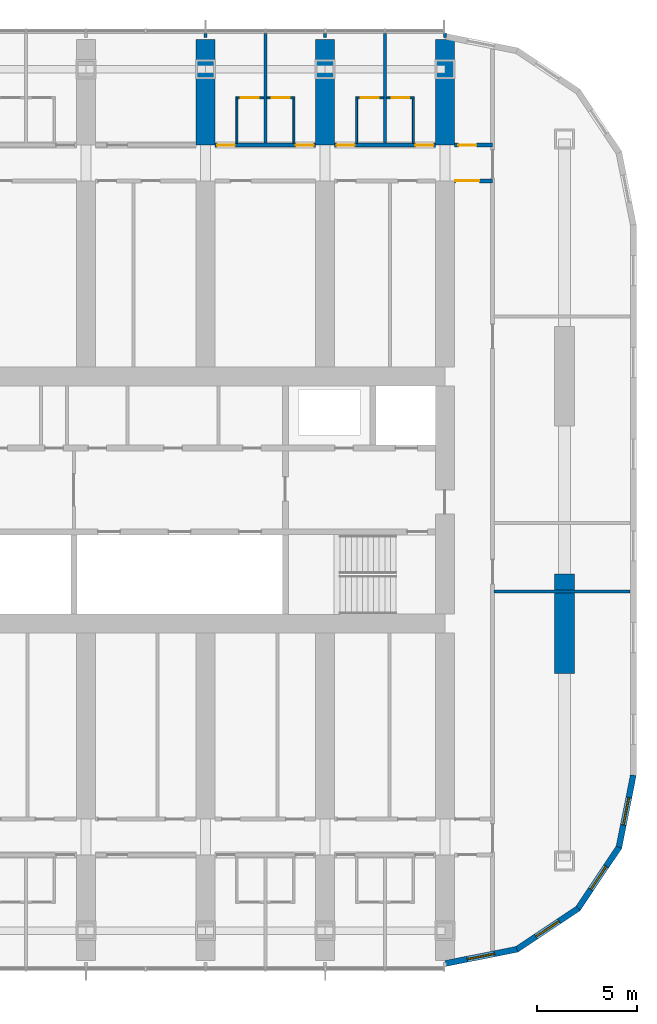
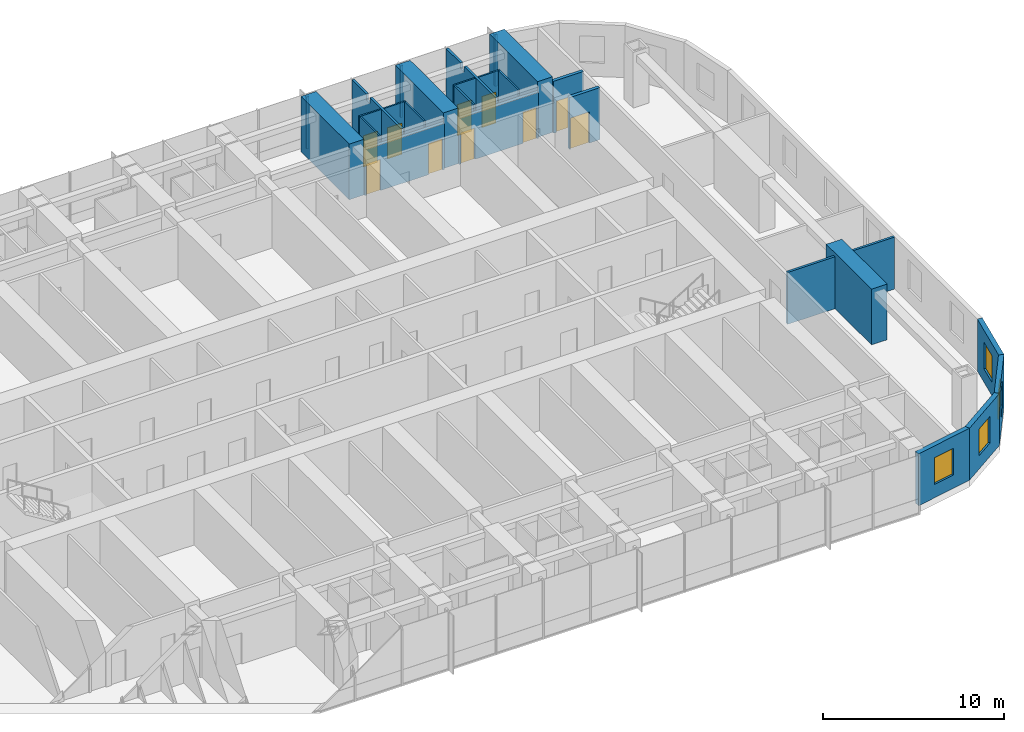
# One storey, part 17 of 25: 26 walls, 10 doors, 4 windows, 14 openings.
"""IFC4 building model written with IfcOpenShell, lengths in metres."""

from ifc_helpers import new_model, si_unit, direction, frame, frame_2d, origin, place, context, subcontext, project, spatial, polyline, rectangle, outline, extrude, material, layer, layer_set, type_object, element, fill, save


model = new_model("IFC4")

# Units and contexts
model_context = context("Model", 3, precision=1e-05, world=origin(), true_north=direction((0.0, 1.0)))
body_context = subcontext(model_context, "Body", "Model", "MODEL_VIEW")
ifc_project = project(units=[si_unit("LENGTHUNIT", "METRE"), si_unit("AREAUNIT", "SQUARE_METRE"), si_unit("VOLUMEUNIT", "CUBIC_METRE"), si_unit("PLANEANGLEUNIT", "RADIAN"), si_unit("MASSUNIT", "GRAM", prefix="KILO")], contexts=[model_context])

# Site, building, storey
site_placement = place(None, origin())
site = spatial("IfcSite", under=ifc_project, at=site_placement, CompositionType="ELEMENT")
building_placement = place(site_placement, origin())
building = spatial("IfcBuilding", under=site, at=building_placement, Name="Orbita Commons", CompositionType="ELEMENT")
storey_placement = place(building_placement, frame((0.0, 0.0, 99.39990234375)))
storey = spatial("IfcBuildingStorey", under=building, at=storey_placement, Name="L24", CompositionType="ELEMENT", Elevation=99.39990234375)

# Wall, openings, doors
ifc_material_1 = material(Name="Concrete blockwork", Category="masonry")
ifc_layer_1 = layer(ifc_material_1, 0.199951171875)
ifc_layer_set_1 = layer_set([ifc_layer_1], Name="Concrete blockwork")
wall_type_1 = type_object("IfcWallType", Name="Corridor wall 200 blockwork", PredefinedType="SOLIDWALL", material=ifc_layer_set_1)
wall_1_placement = place(storey_placement, frame((54.47509765625, 49.800048828125, 0.0), z_axis=(0.0, 0.0, 1.0), x_axis=(1.0, 0.0, 0.0)))
wall_1 = element("IfcWall", 1, at=wall_1_placement, inside=storey, type_object=wall_type_1, Name="Corridor wall 200 blockwork L24", PredefinedType="SOLIDWALL", context=body_context, shape_type="SweptSolid", body=[
    extrude(outline(polyline([(0.0, 0.0), (5.0498046875, 0.0), (5.050048828125, 3.10009765625), (0.0, 3.10009765625), (0.0, 0.0)])), frame((0.0, 0.10009765625, 0.0), z_axis=(0.0, -1.0, 0.0), x_axis=(1.0, 0.0, 0.0)), (0.0, 0.0, 1.0), 0.199951171875),
])
opening_1_placement = place(wall_1_placement, frame((0.10009765625, 0.0, 0.0)))
opening_1 = element("IfcOpeningElement", 2, at=opening_1_placement, cuts=wall_1, Name="Opening D11", PredefinedType="OPENING", context=body_context, shape_type="SweptSolid", body=[
    extrude(rectangle(XDim=0.89990234375, YDim=2.10009765625, at=frame_2d((0.449951171875, 1.050048828125))), frame((0.0, 0.10986328125, 0.0), z_axis=(0.0, -1.0, 0.0), x_axis=(1.0, 0.0, 0.0)), (0.0, 0.0, 1.0), 0.219970703125),
])
opening_2_placement = place(wall_1_placement, frame((4.050048828125, 0.0, 0.0)))
opening_2 = element("IfcOpeningElement", 3, at=opening_2_placement, cuts=wall_1, Name="Opening D11", PredefinedType="OPENING", context=body_context, shape_type="SweptSolid", body=[
    extrude(rectangle(XDim=0.89990234375, YDim=2.10009765625, at=frame_2d((0.449951171875, 1.050048828125))), frame((0.0, 0.10986328125, 0.0), z_axis=(0.0, -1.0, 0.0), x_axis=(1.0, 0.0, 0.0)), (0.0, 0.0, 1.0), 0.219970703125),
])
ifc_material_2 = material(Name="Steel-faced fire door leaf", Category="steel")
door_type_1 = type_object("IfcDoorType", Name="Corridor door 20 min 900x2100", OperationType="SINGLE_SWING_LEFT", PredefinedType="DOOR", material=ifc_material_2)
door_1_placement = place(opening_1_placement, origin())
door_1 = element("IfcDoor", 4, at=door_1_placement, inside=storey, type_object=door_type_1, Name="Cluster bedroom L24-N14 door", OperationType="SINGLE_SWING_LEFT", OverallHeight=2.10009765625, OverallWidth=0.89990234375, PredefinedType="DOOR", context=body_context, shape_type="SweptSolid", body=[
    extrude(rectangle(XDim=0.89990234375, YDim=2.10009765625, at=frame_2d((0.449951171875, 1.050048828125))), frame((0.0, 0.02490234375, 0.0), z_axis=(0.0, -1.0, 0.0), x_axis=(1.0, 0.0, 0.0)), (0.0, 0.0, 1.0), 0.050048828125),
])
fill(opening_1, door_1)
door_2_placement = place(opening_2_placement, origin())
door_2 = element("IfcDoor", 5, at=door_2_placement, inside=storey, type_object=door_type_1, Name="Cluster bedroom L24-N15 door", OperationType="SINGLE_SWING_LEFT", OverallHeight=2.10009765625, OverallWidth=0.89990234375, PredefinedType="DOOR", context=body_context, shape_type="SweptSolid", body=[
    extrude(rectangle(XDim=0.89990234375, YDim=2.10009765625, at=frame_2d((0.449951171875, 1.050048828125))), frame((0.0, 0.02490234375, 0.0), z_axis=(0.0, -1.0, 0.0), x_axis=(1.0, 0.0, 0.0)), (0.0, 0.0, 1.0), 0.050048828125),
])
fill(opening_2, door_2)

wall_2_placement = place(storey_placement, frame((60.47509765625, 49.800048828125, 0.0), z_axis=(0.0, 0.0, 1.0), x_axis=(1.0, 0.0, 0.0)))
wall_2 = element("IfcWall", 6, at=wall_2_placement, inside=storey, type_object=wall_type_1, Name="Corridor wall 200 blockwork L24", PredefinedType="SOLIDWALL", context=body_context, shape_type="SweptSolid", body=[
    extrude(outline(polyline([(0.0, 0.0), (5.0498046875, 0.0), (5.050048828125, 3.10009765625), (0.0, 3.10009765625), (0.0, 0.0)])), frame((0.0, 0.10009765625, 0.0), z_axis=(0.0, -1.0, 0.0), x_axis=(1.0, 0.0, 0.0)), (0.0, 0.0, 1.0), 0.199951171875),
])
opening_3_placement = place(wall_2_placement, frame((0.10009765625, 0.0, 0.0)))
opening_3 = element("IfcOpeningElement", 7, at=opening_3_placement, cuts=wall_2, Name="Opening D11", PredefinedType="OPENING", context=body_context, shape_type="SweptSolid", body=[
    extrude(rectangle(XDim=0.89990234375, YDim=2.10009765625, at=frame_2d((0.449951171875, 1.050048828125))), frame((0.0, 0.10986328125, 0.0), z_axis=(0.0, -1.0, 0.0), x_axis=(1.0, 0.0, 0.0)), (0.0, 0.0, 1.0), 0.219970703125),
])
opening_4_placement = place(wall_2_placement, frame((4.050048828125, 0.0, 0.0)))
opening_4 = element("IfcOpeningElement", 8, at=opening_4_placement, cuts=wall_2, Name="Opening D11", PredefinedType="OPENING", context=body_context, shape_type="SweptSolid", body=[
    extrude(rectangle(XDim=0.89990234375, YDim=2.10009765625, at=frame_2d((0.449951171875, 1.050048828125))), frame((0.0, 0.10986328125, 0.0), z_axis=(0.0, -1.0, 0.0), x_axis=(1.0, 0.0, 0.0)), (0.0, 0.0, 1.0), 0.219970703125),
])
door_3_placement = place(opening_3_placement, origin())
door_3 = element("IfcDoor", 9, at=door_3_placement, inside=storey, type_object=door_type_1, Name="Cluster bedroom L24-N16 door", OperationType="SINGLE_SWING_LEFT", OverallHeight=2.10009765625, OverallWidth=0.89990234375, PredefinedType="DOOR", context=body_context, shape_type="SweptSolid", body=[
    extrude(rectangle(XDim=0.89990234375, YDim=2.10009765625, at=frame_2d((0.449951171875, 1.050048828125))), frame((0.0, 0.02490234375, 0.0), z_axis=(0.0, -1.0, 0.0), x_axis=(1.0, 0.0, 0.0)), (0.0, 0.0, 1.0), 0.050048828125),
])
fill(opening_3, door_3)
door_4_placement = place(opening_4_placement, origin())
door_4 = element("IfcDoor", 10, at=door_4_placement, inside=storey, type_object=door_type_1, Name="Cluster bedroom L24-N17 door", OperationType="SINGLE_SWING_LEFT", OverallHeight=2.10009765625, OverallWidth=0.89990234375, PredefinedType="DOOR", context=body_context, shape_type="SweptSolid", body=[
    extrude(rectangle(XDim=0.89990234375, YDim=2.10009765625, at=frame_2d((0.449951171875, 1.050048828125))), frame((0.0, 0.02490234375, 0.0), z_axis=(0.0, -1.0, 0.0), x_axis=(1.0, 0.0, 0.0)), (0.0, 0.0, 1.0), 0.050048828125),
])
fill(opening_4, door_4)

# Wall, opening, door
wall_3_placement = place(storey_placement, frame((66.47509765625, 49.800048828125, 0.0), z_axis=(0.0, 0.0, 1.0), x_axis=(1.0, 0.0, 0.0)))
wall_3 = element("IfcWall", 11, at=wall_3_placement, inside=storey, type_object=wall_type_1, Name="Corridor wall 200 blockwork L24", PredefinedType="SOLIDWALL", context=body_context, shape_type="SweptSolid", body=[
    extrude(rectangle(XDim=1.9248046875, YDim=0.199951171875, at=frame_2d((0.96240234375, 0.0))), origin(), (0.0, 0.0, 1.0), 3.5),
])
opening_5_placement = place(wall_3_placement, frame((0.199951171875, 0.0, 0.0)))
opening_5 = element("IfcOpeningElement", 12, at=opening_5_placement, cuts=wall_3, Name="Opening D05", PredefinedType="OPENING", context=body_context, shape_type="SweptSolid", body=[
    extrude(rectangle(XDim=0.89990234375, YDim=2.10009765625, at=frame_2d((0.449951171875, 1.050048828125))), frame((0.0, 0.10986328125, 0.0), z_axis=(0.0, -1.0, 0.0), x_axis=(1.0, 0.0, 0.0)), (0.0, 0.0, 1.0), 0.219970703125),
])
ifc_material_3 = material(Name="Steel-faced fire door leaf", Category="steel")
door_type_2 = type_object("IfcDoorType", Name="Service door 20 min 900x2100", OperationType="SINGLE_SWING_LEFT", PredefinedType="DOOR", material=ifc_material_3)
door_5_placement = place(opening_5_placement, origin())
door_5 = element("IfcDoor", 13, at=door_5_placement, inside=storey, type_object=door_type_2, Name="Linen store L24-KEN door", OperationType="SINGLE_SWING_LEFT", OverallHeight=2.10009765625, OverallWidth=0.89990234375, PredefinedType="DOOR", context=body_context, shape_type="SweptSolid", body=[
    extrude(rectangle(XDim=0.89990234375, YDim=2.10009765625, at=frame_2d((0.449951171875, 1.050048828125))), frame((0.0, 0.02490234375, 0.0), z_axis=(0.0, -1.0, 0.0), x_axis=(1.0, 0.0, 0.0)), (0.0, 0.0, 1.0), 0.050048828125),
])
fill(opening_5, door_5)

ifc_material_4 = material(Name="Hollow concrete block 200", Category="concrete")
ifc_layer_2 = layer(ifc_material_4, 0.199951171875)
ifc_layer_set_2 = layer_set([ifc_layer_2], Name="Hollow concrete block 200")
wall_type_2 = type_object("IfcWallType", Name="Corridor wall 200 hollow concrete block", PredefinedType="SOLIDWALL", material=ifc_layer_set_2)
wall_4_placement = place(storey_placement, frame((66.47509765625, 48.0, 0.0), z_axis=(0.0, 0.0, 1.0), x_axis=(1.0, 0.0, 0.0)))
wall_4 = element("IfcWall", 14, at=wall_4_placement, inside=storey, type_object=wall_type_2, Name="Corridor wall 200 hollow concrete block L24", PredefinedType="SOLIDWALL", context=body_context, shape_type="SweptSolid", body=[
    extrude(rectangle(XDim=1.9248046875, YDim=0.199951171875, at=frame_2d((0.96240234375, 0.0))), origin(), (0.0, 0.0, 1.0), 3.5),
])
opening_6_placement = place(wall_4_placement, frame((0.050048828125, 0.0, 0.0)))
opening_6 = element("IfcOpeningElement", 15, at=opening_6_placement, cuts=wall_4, Name="Opening D12", PredefinedType="OPENING", context=body_context, shape_type="SweptSolid", body=[
    extrude(rectangle(XDim=1.199951171875, YDim=2.10009765625, at=frame_2d((0.60009765625, 1.050048828125))), frame((0.0, 0.10986328125, 0.0), z_axis=(0.0, -1.0, 0.0), x_axis=(1.0, 0.0, 0.0)), (0.0, 0.0, 1.0), 0.219970703125),
])
ifc_material_5 = material(Name="Steel-faced fire door leaf", Category="steel")
door_type_3 = type_object("IfcDoorType", Name="Double corridor door 20 min 1200x2100", OperationType="DOUBLE_DOOR_SINGLE_SWING", PredefinedType="DOOR", material=ifc_material_5)
door_6_placement = place(opening_6_placement, origin())
door_6 = element("IfcDoor", 16, at=door_6_placement, inside=storey, type_object=door_type_3, Name="Cross corridor doors", OperationType="DOUBLE_DOOR_SINGLE_SWING", OverallHeight=2.10009765625, OverallWidth=1.199951171875, PredefinedType="DOOR", context=body_context, shape_type="SweptSolid", body=[
    extrude(rectangle(XDim=1.199951171875, YDim=2.10009765625, at=frame_2d((0.60009765625, 1.050048828125))), frame((0.0, 0.02490234375, 0.0), z_axis=(0.0, -1.0, 0.0), x_axis=(1.0, 0.0, 0.0)), (0.0, 0.0, 1.0), 0.050048828125),
])
fill(opening_6, door_6)

# Walls
ifc_material_6 = material(Name="Concrete C50/60", Category="concrete")
ifc_layer_3 = layer(ifc_material_6, 0.949951171875)
ifc_layer_set_3 = layer_set([ifc_layer_3], Name="Concrete C50/60")
wall_type_3 = type_object("IfcWallType", Name="Cross wall 950 C50/60", PredefinedType="SHEAR", material=ifc_layer_set_3)
for number, where, z_axis, x_axis, name in (
    (17, (54.0, 49.800048828125, 0.0), (0.0, 0.0, 1.0), (0.0, 1.0, 0.0), "Cross wall 10 north outer L24"),
    (18, (60.0, 49.800048828125, 0.0), (0.0, 0.0, 1.0), (0.0, 1.0, 0.0), "Cross wall 11 north outer L24"),
    (19, (66.0, 49.800048828125, 0.0), (0.0, 0.0, 1.0), (0.0, 1.0, 0.0), "Cross wall 12 north outer L24"),
):
    element("IfcWall", number, at=place(storey_placement, frame(where, z_axis=z_axis, x_axis=x_axis)), inside=storey, type_object=wall_type_3, Name=name, PredefinedType="SHEAR", context=body_context, shape_type="SweptSolid", body=[
        extrude(rectangle(XDim=5.300048828125, YDim=0.949951171875, at=frame_2d((2.64990234375, 0.0))), origin(), (0.0, 0.0, 1.0), 3.75),
    ])

# Wall, opening, door
ifc_material_7 = material(Name="Moisture-resistant plasterboard on steel studs", Category="steel")
ifc_layer_4 = layer(ifc_material_7, 0.10009765625)
ifc_layer_set_4 = layer_set([ifc_layer_4], Name="Moisture-resistant plasterboard on steel studs")
wall_type_4 = type_object("IfcWallType", Name="En-suite partition 100", PredefinedType="PARTITIONING", material=ifc_layer_set_4)
wall_5_placement = place(storey_placement, frame((55.52490234375, 52.1591796875, 0.0), z_axis=(0.0, 0.0, 1.0), x_axis=(1.0, 0.0, 0.0)))
wall_5 = element("IfcWall", 20, at=wall_5_placement, inside=storey, type_object=wall_type_4, Name="En-suite partition 100 L24", PredefinedType="PARTITIONING", context=body_context, shape_type="SweptSolid", body=[
    extrude(rectangle(XDim=1.400146484375, YDim=0.10009765625, at=frame_2d((0.7001953125, 0.0))), origin(), (0.0, 0.0, 1.0), 3.5),
])
opening_7_placement = place(wall_5_placement, frame((0.25, 0.0, 0.0)))
opening_7 = element("IfcOpeningElement", 21, at=opening_7_placement, cuts=wall_5, Name="Opening D09", PredefinedType="OPENING", context=body_context, shape_type="SweptSolid", body=[
    extrude(rectangle(XDim=0.89990234375, YDim=2.10009765625, at=frame_2d((0.449951171875, 1.050048828125))), frame((0.0, 0.06005859375, 0.0), z_axis=(0.0, -1.0, 0.0), x_axis=(1.0, 0.0, 0.0)), (0.0, 0.0, 1.0), 0.1201171875),
])
ifc_material_8 = material(Name="Laminated timber door leaf", Category="wood")
door_type_4 = type_object("IfcDoorType", Name="En-suite door 900x2100", OperationType="SINGLE_SWING_RIGHT", PredefinedType="DOOR", material=ifc_material_8)
door_7_placement = place(opening_7_placement, origin())
door_7 = element("IfcDoor", 22, at=door_7_placement, inside=storey, type_object=door_type_4, Name="En-suite L24-N14 door", OperationType="SINGLE_SWING_RIGHT", OverallHeight=2.10009765625, OverallWidth=0.89990234375, PredefinedType="DOOR", context=body_context, shape_type="SweptSolid", body=[
    extrude(rectangle(XDim=0.89990234375, YDim=2.10009765625, at=frame_2d((0.449951171875, 1.050048828125))), frame((0.0, 0.02490234375, 0.0), z_axis=(0.0, -1.0, 0.0), x_axis=(1.0, 0.0, 0.0)), (0.0, 0.0, 1.0), 0.050048828125),
])
fill(opening_7, door_7)

# Wall
wall_6_placement = place(storey_placement, frame((55.574951171875, 52.109375, 0.0), z_axis=(0.0, 0.0, 1.0), x_axis=(0.0, -1.0, 0.0)))
element("IfcWall", 23, at=wall_6_placement, inside=storey, type_object=wall_type_4, Name="En-suite partition 100 L24", PredefinedType="PARTITIONING", context=body_context, shape_type="SweptSolid", body=[
    extrude(outline(polyline([(0.0, 0.0), (2.20947265625, 0.0), (2.209228515625, 3.10009765625), (2.161376953125, 3.10009765625), (2.1591796875, 3.5), (0.0, 3.5), (0.0, 0.0)])), frame((0.0, 0.050048828125, 0.0), z_axis=(0.0, -1.0, 0.0), x_axis=(1.0, 0.0, 0.0)), (0.0, 0.0, 1.0), 0.10009765625),
])

# Wall, opening, door
wall_7_placement = place(storey_placement, frame((57.074951171875, 52.1591796875, 0.0), z_axis=(0.0, 0.0, 1.0), x_axis=(1.0, 0.0, 0.0)))
wall_7 = element("IfcWall", 24, at=wall_7_placement, inside=storey, type_object=wall_type_4, Name="En-suite partition 100 L24", PredefinedType="PARTITIONING", context=body_context, shape_type="SweptSolid", body=[
    extrude(rectangle(XDim=1.400146484375, YDim=0.10009765625, at=frame_2d((0.7001953125, 0.0))), origin(), (0.0, 0.0, 1.0), 3.5),
])
opening_8_placement = place(wall_7_placement, frame((0.25, 0.0, 0.0)))
opening_8 = element("IfcOpeningElement", 25, at=opening_8_placement, cuts=wall_7, Name="Opening D09", PredefinedType="OPENING", context=body_context, shape_type="SweptSolid", body=[
    extrude(rectangle(XDim=0.89990234375, YDim=2.10009765625, at=frame_2d((0.449951171875, 1.050048828125))), frame((0.0, 0.06005859375, 0.0), z_axis=(0.0, -1.0, 0.0), x_axis=(1.0, 0.0, 0.0)), (0.0, 0.0, 1.0), 0.1201171875),
])
door_8_placement = place(opening_8_placement, origin())
door_8 = element("IfcDoor", 26, at=door_8_placement, inside=storey, type_object=door_type_4, Name="En-suite L24-N15 door", OperationType="SINGLE_SWING_RIGHT", OverallHeight=2.10009765625, OverallWidth=0.89990234375, PredefinedType="DOOR", context=body_context, shape_type="SweptSolid", body=[
    extrude(rectangle(XDim=0.89990234375, YDim=2.10009765625, at=frame_2d((0.449951171875, 1.050048828125))), frame((0.0, 0.02490234375, 0.0), z_axis=(0.0, -1.0, 0.0), x_axis=(1.0, 0.0, 0.0)), (0.0, 0.0, 1.0), 0.050048828125),
])
fill(opening_8, door_8)

# Wall
wall_8_placement = place(storey_placement, frame((58.425048828125, 52.109375, 0.0), z_axis=(0.0, 0.0, 1.0), x_axis=(0.0, -1.0, 0.0)))
element("IfcWall", 27, at=wall_8_placement, inside=storey, type_object=wall_type_4, Name="En-suite partition 100 L24", PredefinedType="PARTITIONING", context=body_context, shape_type="SweptSolid", body=[
    extrude(outline(polyline([(0.0, 0.0), (2.20947265625, 0.0), (2.209228515625, 3.10009765625), (2.161376953125, 3.10009765625), (2.1591796875, 3.5), (0.0, 3.5), (0.0, 0.0)])), frame((0.0, 0.050048828125, 0.0), z_axis=(0.0, -1.0, 0.0), x_axis=(1.0, 0.0, 0.0)), (0.0, 0.0, 1.0), 0.10009765625),
])

# Wall, opening, door
wall_9_placement = place(storey_placement, frame((61.52490234375, 52.1591796875, 0.0), z_axis=(0.0, 0.0, 1.0), x_axis=(1.0, 0.0, 0.0)))
wall_9 = element("IfcWall", 28, at=wall_9_placement, inside=storey, type_object=wall_type_4, Name="En-suite partition 100 L24", PredefinedType="PARTITIONING", context=body_context, shape_type="SweptSolid", body=[
    extrude(rectangle(XDim=1.400146484375, YDim=0.10009765625, at=frame_2d((0.7001953125, 0.0))), origin(), (0.0, 0.0, 1.0), 3.5),
])
opening_9_placement = place(wall_9_placement, frame((0.25, 0.0, 0.0)))
opening_9 = element("IfcOpeningElement", 29, at=opening_9_placement, cuts=wall_9, Name="Opening D09", PredefinedType="OPENING", context=body_context, shape_type="SweptSolid", body=[
    extrude(rectangle(XDim=0.89990234375, YDim=2.10009765625, at=frame_2d((0.449951171875, 1.050048828125))), frame((0.0, 0.06005859375, 0.0), z_axis=(0.0, -1.0, 0.0), x_axis=(1.0, 0.0, 0.0)), (0.0, 0.0, 1.0), 0.1201171875),
])
door_9_placement = place(opening_9_placement, origin())
door_9 = element("IfcDoor", 30, at=door_9_placement, inside=storey, type_object=door_type_4, Name="En-suite L24-N16 door", OperationType="SINGLE_SWING_RIGHT", OverallHeight=2.10009765625, OverallWidth=0.89990234375, PredefinedType="DOOR", context=body_context, shape_type="SweptSolid", body=[
    extrude(rectangle(XDim=0.89990234375, YDim=2.10009765625, at=frame_2d((0.449951171875, 1.050048828125))), frame((0.0, 0.02490234375, 0.0), z_axis=(0.0, -1.0, 0.0), x_axis=(1.0, 0.0, 0.0)), (0.0, 0.0, 1.0), 0.050048828125),
])
fill(opening_9, door_9)

# Wall
wall_10_placement = place(storey_placement, frame((61.574951171875, 52.109375, 0.0), z_axis=(0.0, 0.0, 1.0), x_axis=(0.0, -1.0, 0.0)))
element("IfcWall", 31, at=wall_10_placement, inside=storey, type_object=wall_type_4, Name="En-suite partition 100 L24", PredefinedType="PARTITIONING", context=body_context, shape_type="SweptSolid", body=[
    extrude(outline(polyline([(0.0, 0.0), (2.20947265625, 0.0), (2.209228515625, 3.10009765625), (2.161376953125, 3.10009765625), (2.1591796875, 3.5), (0.0, 3.5), (0.0, 0.0)])), frame((0.0, 0.050048828125, 0.0), z_axis=(0.0, -1.0, 0.0), x_axis=(1.0, 0.0, 0.0)), (0.0, 0.0, 1.0), 0.10009765625),
])

# Wall, opening, door
wall_11_placement = place(storey_placement, frame((63.074951171875, 52.1591796875, 0.0), z_axis=(0.0, 0.0, 1.0), x_axis=(1.0, 0.0, 0.0)))
wall_11 = element("IfcWall", 32, at=wall_11_placement, inside=storey, type_object=wall_type_4, Name="En-suite partition 100 L24", PredefinedType="PARTITIONING", context=body_context, shape_type="SweptSolid", body=[
    extrude(rectangle(XDim=1.400146484375, YDim=0.10009765625, at=frame_2d((0.7001953125, 0.0))), origin(), (0.0, 0.0, 1.0), 3.5),
])
opening_10_placement = place(wall_11_placement, frame((0.25, 0.0, 0.0)))
opening_10 = element("IfcOpeningElement", 33, at=opening_10_placement, cuts=wall_11, Name="Opening D09", PredefinedType="OPENING", context=body_context, shape_type="SweptSolid", body=[
    extrude(rectangle(XDim=0.89990234375, YDim=2.10009765625, at=frame_2d((0.449951171875, 1.050048828125))), frame((0.0, 0.06005859375, 0.0), z_axis=(0.0, -1.0, 0.0), x_axis=(1.0, 0.0, 0.0)), (0.0, 0.0, 1.0), 0.1201171875),
])
door_10_placement = place(opening_10_placement, origin())
door_10 = element("IfcDoor", 34, at=door_10_placement, inside=storey, type_object=door_type_4, Name="En-suite L24-N17 door", OperationType="SINGLE_SWING_RIGHT", OverallHeight=2.10009765625, OverallWidth=0.89990234375, PredefinedType="DOOR", context=body_context, shape_type="SweptSolid", body=[
    extrude(rectangle(XDim=0.89990234375, YDim=2.10009765625, at=frame_2d((0.449951171875, 1.050048828125))), frame((0.0, 0.02490234375, 0.0), z_axis=(0.0, -1.0, 0.0), x_axis=(1.0, 0.0, 0.0)), (0.0, 0.0, 1.0), 0.050048828125),
])
fill(opening_10, door_10)

# Walls
wall_12_placement = place(storey_placement, frame((64.425048828125, 52.109375, 0.0), z_axis=(0.0, 0.0, 1.0), x_axis=(0.0, -1.0, 0.0)))
element("IfcWall", 35, at=wall_12_placement, inside=storey, type_object=wall_type_4, Name="En-suite partition 100 L24", PredefinedType="PARTITIONING", context=body_context, shape_type="SweptSolid", body=[
    extrude(outline(polyline([(0.0, 0.0), (2.20947265625, 0.0), (2.209228515625, 3.10009765625), (2.161376953125, 3.10009765625), (2.1591796875, 3.5), (0.0, 3.5), (0.0, 0.0)])), frame((0.0, 0.050048828125, 0.0), z_axis=(0.0, -1.0, 0.0), x_axis=(1.0, 0.0, 0.0)), (0.0, 0.0, 1.0), 0.10009765625),
])
ifc_material_9 = material(Name="Concrete C50/60", Category="concrete")
ifc_layer_5 = layer(ifc_material_9, 1.0)
ifc_layer_set_5 = layer_set([ifc_layer_5], Name="Concrete C50/60")
wall_type_5 = type_object("IfcWallType", Name="End pier 1000x5000 C50/60", PredefinedType="SHEAR", material=ifc_layer_set_5)
wall_13_placement = place(storey_placement, frame((72.0, 23.300048828125, 0.0), z_axis=(0.0, 0.0, 1.0), x_axis=(0.0, 1.0, 0.0)))
element("IfcWall", 36, at=wall_13_placement, inside=storey, type_object=wall_type_5, Name="End pier 13/C L24", PredefinedType="SHEAR", context=body_context, shape_type="SweptSolid", body=[
    extrude(rectangle(XDim=5.0, YDim=1.0, at=frame_2d((2.5, 0.0))), origin(), (0.0, 0.0, 1.0), 3.75),
])
ifc_material_10 = material(Name="Gypsum plasterboard on steel studs", Category="steel")
ifc_layer_6 = layer(ifc_material_10, 0.14990234375)
ifc_layer_set_6 = layer_set([ifc_layer_6], Name="Gypsum plasterboard on steel studs")
wall_type_6 = type_object("IfcWallType", Name="Partition 150 plasterboard", PredefinedType="PARTITIONING", material=ifc_layer_set_6)
wall_14_placement = place(storey_placement, frame((68.47509765625, 27.39990234375, 0.0), z_axis=(0.0, 0.0, 1.0), x_axis=(1.0, 0.0, 0.0)))
element("IfcWall", 37, at=wall_14_placement, inside=storey, type_object=wall_type_6, Name="Partition 150 plasterboard L24", PredefinedType="PARTITIONING", context=body_context, shape_type="SweptSolid", body=[
    extrude(rectangle(XDim=6.81982421875, YDim=0.14990234375, at=frame_2d((3.409912109375, 0.0))), origin(), (0.0, 0.0, 1.0), 3.5),
])
for number, where, z_axis, x_axis, name in (
    (38, (54.0, 55.199951171875, 0.0), (0.0, 0.0, 1.0), (0.0, 1.0, 0.0), "Partition 150 plasterboard L24"),
    (39, (60.0, 55.199951171875, 0.0), (0.0, 0.0, 1.0), (0.0, 1.0, 0.0), "Partition 150 plasterboard L24"),
):
    element("IfcWall", number, at=place(storey_placement, frame(where, z_axis=z_axis, x_axis=x_axis)), inside=storey, type_object=wall_type_6, Name=name, PredefinedType="PARTITIONING", context=body_context, shape_type="SweptSolid", body=[
        extrude(rectangle(XDim=0.18994140625, YDim=0.14990234375, at=frame_2d((0.094970703125, 0.0))), origin(), (0.0, 0.0, 1.0), 3.5),
    ])
wall_15_placement = place(storey_placement, frame((66.0, 55.199951171875, 0.0), z_axis=(0.0, 0.0, 1.0), x_axis=(0.0, 1.0, 0.0)))
element("IfcWall", 40, at=wall_15_placement, inside=storey, type_object=wall_type_6, Name="Partition 150 plasterboard L24", PredefinedType="PARTITIONING", context=body_context, shape_type="SweptSolid", body=[
    extrude(rectangle(XDim=0.219970703125, YDim=0.14990234375, at=frame_2d((0.10986328125, 0.0))), origin(), (0.0, 0.0, 1.0), 3.5),
])
ifc_material_11 = material(Name="Gypsum plasterboard on steel studs", Category="steel")
ifc_layer_7 = layer(ifc_material_11, 0.14990234375)
ifc_layer_set_7 = layer_set([ifc_layer_7], Name="Gypsum plasterboard on steel studs")
wall_type_7 = type_object("IfcWallType", Name="Party wall 150 plasterboard", PredefinedType="PARTITIONING", material=ifc_layer_set_7)
for number, where, z_axis, x_axis, name in (
    (41, (57.0, 55.389892578125, 0.0), (0.0, 0.0, 1.0), (0.0, -1.0, 0.0), "Party wall 150 plasterboard L24"),
    (42, (63.0, 55.389892578125, 0.0), (0.0, 0.0, 1.0), (0.0, -1.0, 0.0), "Party wall 150 plasterboard L24"),
):
    element("IfcWall", number, at=place(storey_placement, frame(where, z_axis=z_axis, x_axis=x_axis)), inside=storey, type_object=wall_type_7, Name=name, PredefinedType="PARTITIONING", context=body_context, shape_type="SweptSolid", body=[
        extrude(outline(polyline([(0.0, 0.0), (5.489990234375, 0.0), (5.489990234375, 3.10009765625), (5.44189453125, 3.10009765625), (5.43994140625, 3.5), (1.991943359375, 3.5), (1.989990234375, 3.10009765625), (1.592041015625, 3.10009765625), (1.590087890625, 3.5), (0.0, 3.5), (0.0, 0.0)])), frame((0.0, 0.074951171875, 0.0), z_axis=(0.0, -1.0, 0.0), x_axis=(1.0, 0.0, 0.0)), (0.0, 0.0, 1.0), 0.14990234375),
    ])

# Wall, opening, window
ifc_material_12 = material(Name="Precast concrete C40/50, white board-marked finish", Category="concrete")
ifc_layer_8 = layer(ifc_material_12, 0.300048828125)
ifc_layer_set_8 = layer_set([ifc_layer_8], Name="Precast concrete C40/50, white board-marked finish")
wall_type_8 = type_object("IfcWallType", Name="Precast concrete end shield 300", PredefinedType="SOLIDWALL", material=ifc_layer_set_8)
wall_16_placement = place(storey_placement, frame((66.0, 8.75, 0.0), z_axis=(0.0, 0.0, 1.0), x_axis=(0.980791473772, 0.195059183267, 0.0)))
wall_16 = element("IfcWall", 43, at=wall_16_placement, inside=storey, type_object=wall_type_8, Name="End shield SE chord 1 L24", PredefinedType="SOLIDWALL", context=body_context, shape_type="SweptSolid", body=[
    extrude(outline(polyline([(-0.02978515625, -0.14990234375), (3.717041015625, -0.14990234375), (3.657470703125, 0.14990234375), (0.02978515625, 0.14990234375), (-0.02978515625, -0.14990234375)])), origin(), (0.0, 0.0, 1.0), 3.5),
])
opening_11_placement = place(wall_16_placement, frame((1.1435546875, 0.0, 0.89990234375)))
opening_11 = element("IfcOpeningElement", 44, at=opening_11_placement, cuts=wall_16, Name="Opening W02", PredefinedType="OPENING", context=body_context, shape_type="SweptSolid", body=[
    extrude(rectangle(XDim=1.39990234375, YDim=1.800048828125, at=frame_2d((0.699951171875, 0.89990234375))), frame((0.0, 0.159912109375, 0.0), z_axis=(0.0, -1.0, 0.0), x_axis=(1.0, 0.0, 0.0)), (0.0, 0.0, 1.0), 0.320068359375),
])
ifc_material_13 = material(Name="Aluminium frame, clear double glazing", Category="aluminium")
window_type = type_object("IfcWindowType", Name="Deep-set window 1400x1800", PartitioningType="SINGLE_PANEL", PredefinedType="WINDOW", material=ifc_material_13)
window_1_placement = place(opening_11_placement, origin())
window_1 = element("IfcWindow", 45, at=window_1_placement, inside=storey, type_object=window_type, Name="Window L24-SE0", OverallHeight=1.800048828125, OverallWidth=1.39990234375, PartitioningType="SINGLE_PANEL", PredefinedType="WINDOW", context=body_context, shape_type="SweptSolid", body=[
    extrude(rectangle(XDim=1.39990234375, YDim=1.800048828125, at=frame_2d((0.699951171875, 0.89990234375))), frame((0.0, 0.030029296875, 0.0), z_axis=(0.0, -1.0, 0.0), x_axis=(1.0, 0.0, 0.0)), (0.0, 0.0, 1.0), 0.06005859375),
])
fill(opening_11, window_1)

wall_17_placement = place(storey_placement, frame((69.616455078125, 9.46923828125, 0.0), z_axis=(0.0, 0.0, 1.0), x_axis=(0.831448786846, 0.555601399253, 0.0)))
wall_17 = element("IfcWall", 46, at=wall_17_placement, inside=storey, type_object=wall_type_8, Name="End shield SE chord 2 L24", PredefinedType="SOLIDWALL", context=body_context, shape_type="SweptSolid", body=[
    extrude(outline(polyline([(-0.02978515625, -0.14990234375), (3.717041015625, -0.14990234375), (3.657470703125, 0.14990234375), (0.02978515625, 0.14990234375), (-0.02978515625, -0.14990234375)])), origin(), (0.0, 0.0, 1.0), 3.5),
])
opening_12_placement = place(wall_17_placement, frame((1.1435546875, 0.0, 0.89990234375)))
opening_12 = element("IfcOpeningElement", 47, at=opening_12_placement, cuts=wall_17, Name="Opening W02", PredefinedType="OPENING", context=body_context, shape_type="SweptSolid", body=[
    extrude(rectangle(XDim=1.39990234375, YDim=1.800048828125, at=frame_2d((0.699951171875, 0.89990234375))), frame((0.0, 0.159912109375, 0.0), z_axis=(0.0, -1.0, 0.0), x_axis=(1.0, 0.0, 0.0)), (0.0, 0.0, 1.0), 0.320068359375),
])
window_2_placement = place(opening_12_placement, origin())
window_2 = element("IfcWindow", 48, at=window_2_placement, inside=storey, type_object=window_type, Name="Window L24-SE1", OverallHeight=1.800048828125, OverallWidth=1.39990234375, PartitioningType="SINGLE_PANEL", PredefinedType="WINDOW", context=body_context, shape_type="SweptSolid", body=[
    extrude(rectangle(XDim=1.39990234375, YDim=1.800048828125, at=frame_2d((0.699951171875, 0.89990234375))), frame((0.0, 0.030029296875, 0.0), z_axis=(0.0, -1.0, 0.0), x_axis=(1.0, 0.0, 0.0)), (0.0, 0.0, 1.0), 0.06005859375),
])
fill(opening_12, window_2)

wall_18_placement = place(storey_placement, frame((72.68212890625, 11.517822265625, 0.0), z_axis=(0.0, 0.0, 1.0), x_axis=(0.555601399253, 0.831448786846, 0.0)))
wall_18 = element("IfcWall", 49, at=wall_18_placement, inside=storey, type_object=wall_type_8, Name="End shield SE chord 3 L24", PredefinedType="SOLIDWALL", context=body_context, shape_type="SweptSolid", body=[
    extrude(outline(polyline([(-0.02978515625, -0.14990234375), (3.717041015625, -0.14990234375), (3.657470703125, 0.14990234375), (0.02978515625, 0.14990234375), (-0.02978515625, -0.14990234375)])), origin(), (0.0, 0.0, 1.0), 3.5),
])
opening_13_placement = place(wall_18_placement, frame((1.1435546875, 0.0, 0.89990234375)))
opening_13 = element("IfcOpeningElement", 50, at=opening_13_placement, cuts=wall_18, Name="Opening W02", PredefinedType="OPENING", context=body_context, shape_type="SweptSolid", body=[
    extrude(rectangle(XDim=1.39990234375, YDim=1.800048828125, at=frame_2d((0.699951171875, 0.89990234375))), frame((0.0, 0.159912109375, 0.0), z_axis=(0.0, -1.0, 0.0), x_axis=(1.0, 0.0, 0.0)), (0.0, 0.0, 1.0), 0.320068359375),
])
window_3_placement = place(opening_13_placement, origin())
window_3 = element("IfcWindow", 51, at=window_3_placement, inside=storey, type_object=window_type, Name="Window L24-SE2", OverallHeight=1.800048828125, OverallWidth=1.39990234375, PartitioningType="SINGLE_PANEL", PredefinedType="WINDOW", context=body_context, shape_type="SweptSolid", body=[
    extrude(rectangle(XDim=1.39990234375, YDim=1.800048828125, at=frame_2d((0.699951171875, 0.89990234375))), frame((0.0, 0.030029296875, 0.0), z_axis=(0.0, -1.0, 0.0), x_axis=(1.0, 0.0, 0.0)), (0.0, 0.0, 1.0), 0.06005859375),
])
fill(opening_13, window_3)

wall_19_placement = place(storey_placement, frame((74.730712890625, 14.58349609375, 0.0), z_axis=(0.0, 0.0, 1.0), x_axis=(0.195059183267, 0.980791473772, 0.0)))
wall_19 = element("IfcWall", 52, at=wall_19_placement, inside=storey, type_object=wall_type_8, Name="End shield SE chord 4 L24", PredefinedType="SOLIDWALL", context=body_context, shape_type="SweptSolid", body=[
    extrude(outline(polyline([(-0.02978515625, -0.14990234375), (3.7021484375, -0.14990234375), (3.67236328125, 0.14990234375), (0.02978515625, 0.14990234375), (-0.02978515625, -0.14990234375)])), origin(), (0.0, 0.0, 1.0), 3.5),
])
opening_14_placement = place(wall_19_placement, frame((1.1435546875, 0.0, 0.89990234375)))
opening_14 = element("IfcOpeningElement", 53, at=opening_14_placement, cuts=wall_19, Name="Opening W02", PredefinedType="OPENING", context=body_context, shape_type="SweptSolid", body=[
    extrude(rectangle(XDim=1.39990234375, YDim=1.800048828125, at=frame_2d((0.699951171875, 0.89990234375))), frame((0.0, 0.159912109375, 0.0), z_axis=(0.0, -1.0, 0.0), x_axis=(1.0, 0.0, 0.0)), (0.0, 0.0, 1.0), 0.320068359375),
])
window_4_placement = place(opening_14_placement, origin())
window_4 = element("IfcWindow", 54, at=window_4_placement, inside=storey, type_object=window_type, Name="Window L24-SE3", OverallHeight=1.800048828125, OverallWidth=1.39990234375, PartitioningType="SINGLE_PANEL", PredefinedType="WINDOW", context=body_context, shape_type="SweptSolid", body=[
    extrude(rectangle(XDim=1.39990234375, YDim=1.800048828125, at=frame_2d((0.699951171875, 0.89990234375))), frame((0.0, 0.030029296875, 0.0), z_axis=(0.0, -1.0, 0.0), x_axis=(1.0, 0.0, 0.0)), (0.0, 0.0, 1.0), 0.06005859375),
])
fill(opening_14, window_4)

save(model, "model.ifc")
